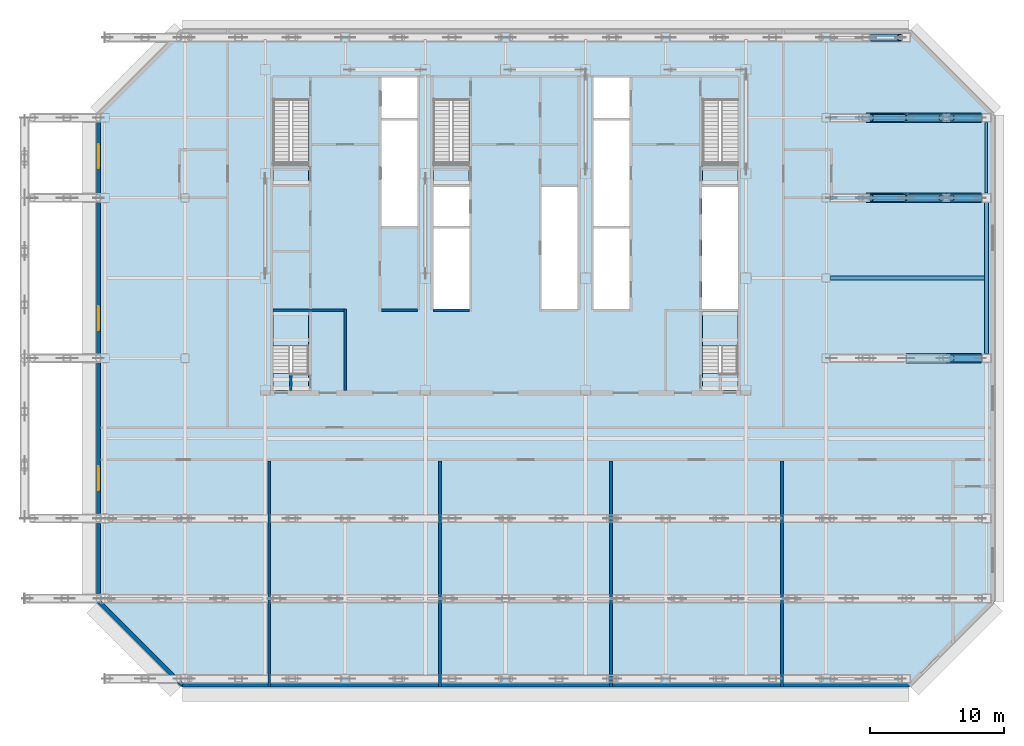
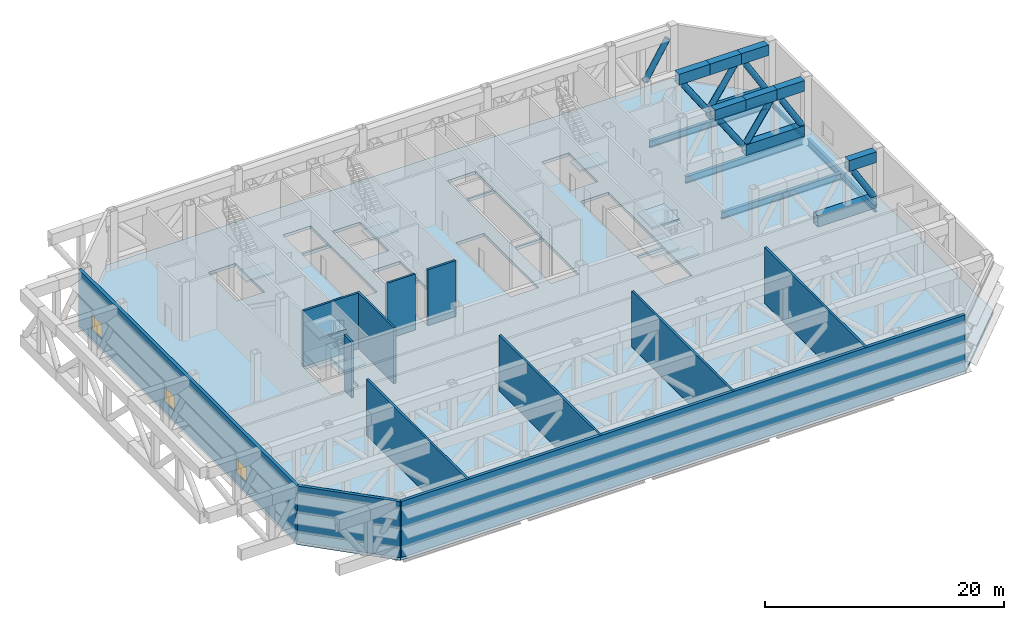
# One storey, part 5 of 17: 15 beams, 12 walls, 10 slabs, 8 members, 3 windows, 3 openings, 5 elements without a shape of their own.
"""IFC4 building model written with IfcOpenShell, lengths in metres."""

from ifc_helpers import new_model, si_unit, direction, frame, frame_2d, origin, origin_2d, place, context, subcontext, project, spatial, polyline, rectangle, hollow_rectangle, hollow_circle, i_section, outline, extrude, material, layer, layer_set, material_profile, profile_set, type_object, element, fill, aggregate, save


model = new_model("IFC4")

# Units and contexts
model_context = context("Model", 3, precision=1e-05, world=origin(), true_north=direction((0.0, 1.0)))
body_context = subcontext(model_context, "Body", "Model", "MODEL_VIEW")
ifc_project = project(units=[si_unit("LENGTHUNIT", "METRE"), si_unit("AREAUNIT", "SQUARE_METRE"), si_unit("VOLUMEUNIT", "CUBIC_METRE"), si_unit("PLANEANGLEUNIT", "RADIAN"), si_unit("MASSUNIT", "GRAM", prefix="KILO")], contexts=[model_context])

# Site, building, storey
site_placement = place(None, origin())
site = spatial("IfcSite", under=ifc_project, at=site_placement, CompositionType="ELEMENT")
building_placement = place(site_placement, origin())
building = spatial("IfcBuilding", under=site, at=building_placement, Name="Sorahane Residences", CompositionType="ELEMENT")
storey_placement = place(building_placement, frame((0.0, 0.0, 186.0)))
storey = spatial("IfcBuildingStorey", under=building, at=storey_placement, Name="L43", CompositionType="ELEMENT", Elevation=186.0)

# Beams
ifc_material_1 = material(Name="Steel Q355B", Category="steel")
ifc_material_profile_1 = material_profile(ifc_material_1, i_section(OverallWidth=0.199951171875, OverallDepth=0.449951171875, WebThickness=0.009033203125, FlangeThickness=0.013916015625, FilletRadius=0.02001953125, at=origin_2d()), Name="HN 450x200x9x14")
ifc_profile_set_1 = profile_set([ifc_material_profile_1], Name="Steel Q355B")
beam_type_1 = type_object("IfcBeamType", Name="Steel floor beam HN 450x200x9x14 Q355B", PredefinedType="BEAM", material=ifc_profile_set_1)
beam_1_placement = place(storey_placement, frame((60.0, 36.35009765625, -0.52490234375), z_axis=(0.0, 1.0, 0.0), x_axis=(-1.0, 0.0, 0.0)))
element("IfcBeam", 1, at=beam_1_placement, inside=storey, type_object=beam_type_1, Name="Beam L43 067", PredefinedType="BEAM", context=body_context, shape_type="SweptSolid", body=[
    extrude(i_section(OverallWidth=0.199951171875, OverallDepth=0.449951171875, WebThickness=0.009033203125, FlangeThickness=0.013916015625, FilletRadius=0.02001953125, at=origin_2d()), origin(), (0.0, 0.0, 1.0), 5.2998046875),
])
ifc_material_2 = material(Name="Steel Q355B", Category="steel")
ifc_material_profile_2 = material_profile(ifc_material_2, i_section(OverallWidth=0.300048828125, OverallDepth=0.699951171875, WebThickness=0.012939453125, FlangeThickness=0.02392578125, FilletRadius=0.028076171875, at=origin_2d()), Name="HN 700x300x13x24")
ifc_profile_set_2 = profile_set([ifc_material_profile_2], Name="Steel Q355B")
beam_type_2 = type_object("IfcBeamType", Name="Steel floor beam HN 700x300x13x24 Q355B", PredefinedType="BEAM", material=ifc_profile_set_2)
beam_2_placement = place(storey_placement, frame((48.324951171875, 36.0, -0.64990234375), z_axis=(1.0, 0.0, 0.0), x_axis=(0.0, 1.0, 0.0)))
element("IfcBeam", 2, at=beam_2_placement, inside=storey, type_object=beam_type_2, Name="Beam L43 014", PredefinedType="BEAM", context=body_context, shape_type="SweptSolid", body=[
    extrude(i_section(OverallWidth=0.300048828125, OverallDepth=0.699951171875, WebThickness=0.012939453125, FlangeThickness=0.02392578125, FilletRadius=0.028076171875, at=origin_2d()), origin(), (0.0, 0.0, 1.0), 11.324951171875),
])
beam_3_placement = place(storey_placement, frame((60.0, 24.35009765625, -0.64990234375), z_axis=(0.0, 1.0, 0.0), x_axis=(-1.0, 0.0, 0.0)))
element("IfcBeam", 3, at=beam_3_placement, inside=storey, type_object=beam_type_2, Name="Beam L43 066", PredefinedType="BEAM", context=body_context, shape_type="SweptSolid", body=[
    extrude(i_section(OverallWidth=0.300048828125, OverallDepth=0.699951171875, WebThickness=0.012939453125, FlangeThickness=0.02392578125, FilletRadius=0.028076171875, at=origin_2d()), origin(), (0.0, 0.0, 1.0), 11.2998046875),
])
beam_4_placement = place(storey_placement, frame((48.324951171875, 30.0, -0.64990234375), z_axis=(1.0, 0.0, 0.0), x_axis=(0.0, 1.0, 0.0)))
element("IfcBeam", 4, at=beam_4_placement, inside=storey, type_object=beam_type_2, Name="Beam L43 088", PredefinedType="BEAM", context=body_context, shape_type="SweptSolid", body=[
    extrude(i_section(OverallWidth=0.300048828125, OverallDepth=0.699951171875, WebThickness=0.012939453125, FlangeThickness=0.02392578125, FilletRadius=0.028076171875, at=origin_2d()), origin(), (0.0, 0.0, 1.0), 11.525146484375),
])
beam_5_placement = place(storey_placement, frame((48.324951171875, 42.0, -0.64990234375), z_axis=(1.0, 0.0, 0.0), x_axis=(0.0, 1.0, 0.0)))
element("IfcBeam", 5, at=beam_5_placement, inside=storey, type_object=beam_type_2, Name="Beam L43 092", PredefinedType="BEAM", context=body_context, shape_type="SweptSolid", body=[
    extrude(i_section(OverallWidth=0.300048828125, OverallDepth=0.699951171875, WebThickness=0.012939453125, FlangeThickness=0.02392578125, FilletRadius=0.028076171875, at=origin_2d()), origin(), (0.0, 0.0, 1.0), 11.324951171875),
])
ifc_material_3 = material(Name="Steel Q420GJ", Category="steel")
ifc_material_profile_3 = material_profile(ifc_material_3, hollow_rectangle(XDim=0.699951171875, YDim=1.10009765625, WallThickness=0.050048828125, at=origin_2d()), Name="BOX 1100x700x50")
ifc_profile_set_3 = profile_set([ifc_material_profile_3], Name="Steel Q420GJ")
beam_type_3 = type_object("IfcBeamType", Name="Truss chord BOX 1100x700x50 Q420GJ", PredefinedType="BEAM", material=ifc_profile_set_3)
beam_6_placement = place(storey_placement, frame((54.0, 24.0, 0.550048828125), z_axis=(1.0, 0.0, 0.0), x_axis=(0.0, 1.0, 0.0)))
element("IfcBeam", 6, at=beam_6_placement, inside=storey, type_object=beam_type_3, Name="Truss chord L43", PredefinedType="BEAM", context=body_context, shape_type="SweptSolid", body=[
    extrude(hollow_rectangle(XDim=0.699951171875, YDim=1.10009765625, WallThickness=0.050048828125, at=origin_2d()), origin(), (0.0, 0.0, 1.0), 5.64990234375),
])
beam_7_placement = place(storey_placement, frame((57.0, 24.0, 5.14990234375), z_axis=(1.0, 0.0, 0.0), x_axis=(0.0, 1.0, 0.0)))
element("IfcBeam", 7, at=beam_7_placement, inside=storey, type_object=beam_type_3, Name="Truss chord L43", PredefinedType="BEAM", context=body_context, shape_type="SweptSolid", body=[
    extrude(hollow_rectangle(XDim=0.699951171875, YDim=1.10009765625, WallThickness=0.050048828125, at=origin_2d()), origin(), (0.0, 0.0, 1.0), 2.64990234375),
])
beam_8_placement = place(storey_placement, frame((54.0, 36.0, 0.550048828125), z_axis=(1.0, 0.0, 0.0), x_axis=(0.0, 1.0, 0.0)))
element("IfcBeam", 8, at=beam_8_placement, inside=storey, type_object=beam_type_3, Name="Truss chord L43", PredefinedType="BEAM", context=body_context, shape_type="SweptSolid", body=[
    extrude(hollow_rectangle(XDim=0.699951171875, YDim=1.10009765625, WallThickness=0.050048828125, at=origin_2d()), origin(), (0.0, 0.0, 1.0), 5.64990234375),
])
for number, where, z_axis, x_axis, name in (
    (9, (51.0, 36.0, 5.14990234375), (1.0, 0.0, 0.0), (0.0, 1.0, 0.0), "Truss chord L43"),
    (10, (54.0, 36.0, 5.14990234375), (1.0, 0.0, 0.0), (0.0, 1.0, 0.0), "Truss chord L43"),
):
    element("IfcBeam", number, at=place(storey_placement, frame(where, z_axis=z_axis, x_axis=x_axis)), inside=storey, type_object=beam_type_3, Name=name, PredefinedType="BEAM", context=body_context, shape_type="SweptSolid", body=[
        extrude(hollow_rectangle(XDim=0.699951171875, YDim=1.10009765625, WallThickness=0.050048828125, at=origin_2d()), origin(), (0.0, 0.0, 1.0), 3.0),
    ])
beam_9_placement = place(storey_placement, frame((57.0, 36.0, 5.14990234375), z_axis=(1.0, 0.0, 0.0), x_axis=(0.0, 1.0, 0.0)))
element("IfcBeam", 11, at=beam_9_placement, inside=storey, type_object=beam_type_3, Name="Truss chord L43", PredefinedType="BEAM", context=body_context, shape_type="SweptSolid", body=[
    extrude(hollow_rectangle(XDim=0.699951171875, YDim=1.10009765625, WallThickness=0.050048828125, at=origin_2d()), origin(), (0.0, 0.0, 1.0), 2.64990234375),
])
beam_10_placement = place(storey_placement, frame((54.0, 42.0, 0.550048828125), z_axis=(1.0, 0.0, 0.0), x_axis=(0.0, 1.0, 0.0)))
element("IfcBeam", 12, at=beam_10_placement, inside=storey, type_object=beam_type_3, Name="Truss chord L43", PredefinedType="BEAM", context=body_context, shape_type="SweptSolid", body=[
    extrude(hollow_rectangle(XDim=0.699951171875, YDim=1.10009765625, WallThickness=0.050048828125, at=origin_2d()), origin(), (0.0, 0.0, 1.0), 5.64990234375),
])
for number, where, z_axis, x_axis, name in (
    (13, (51.0, 42.0, 5.14990234375), (1.0, 0.0, 0.0), (0.0, 1.0, 0.0), "Truss chord L43"),
    (14, (54.0, 42.0, 5.14990234375), (1.0, 0.0, 0.0), (0.0, 1.0, 0.0), "Truss chord L43"),
):
    element("IfcBeam", number, at=place(storey_placement, frame(where, z_axis=z_axis, x_axis=x_axis)), inside=storey, type_object=beam_type_3, Name=name, PredefinedType="BEAM", context=body_context, shape_type="SweptSolid", body=[
        extrude(hollow_rectangle(XDim=0.699951171875, YDim=1.10009765625, WallThickness=0.050048828125, at=origin_2d()), origin(), (0.0, 0.0, 1.0), 3.0),
    ])
beam_11_placement = place(storey_placement, frame((57.0, 42.0, 5.14990234375), z_axis=(1.0, 0.0, 0.0), x_axis=(0.0, 1.0, 0.0)))
element("IfcBeam", 15, at=beam_11_placement, inside=storey, type_object=beam_type_3, Name="Truss chord L43", PredefinedType="BEAM", context=body_context, shape_type="SweptSolid", body=[
    extrude(hollow_rectangle(XDim=0.699951171875, YDim=1.10009765625, WallThickness=0.050048828125, at=origin_2d()), origin(), (0.0, 0.0, 1.0), 2.64990234375),
])

# Members
ifc_material_4 = material(Name="Steel Q420GJ", Category="steel")
ifc_material_profile_4 = material_profile(ifc_material_4, hollow_circle(Radius=0.27490234375, WallThickness=0.028076171875, at=origin_2d()), Name="CHS 550x28")
ifc_profile_set_4 = profile_set([ifc_material_profile_4], Name="Steel Q420GJ")
member_type = type_object("IfcMemberType", Name="Truss diagonal CHS 550x28 Q420GJ", PredefinedType="BRACE", material=ifc_profile_set_4)
member_1_placement = place(storey_placement, frame((57.36328125, 24.0, 4.67724609375), z_axis=(0.515488774594, 0.0, -0.856896331692), x_axis=(0.0, 1.0, 0.0)))
element("IfcMember", 16, at=member_1_placement, inside=storey, type_object=member_type, Name="Truss diagonal L43", PredefinedType="BRACE", context=body_context, shape_type="SweptSolid", body=[
    extrude(hollow_circle(Radius=0.27490234375, WallThickness=0.028076171875, at=origin_2d()), origin(), (0.0, 0.0, 1.0), 4.264892578125),
])
for number, where, z_axis, x_axis, name in (
    (17, (51.332275390625, 36.0, 4.681396484375), (0.55760796969, 0.0, -0.83010442243), (0.0, 1.0, 0.0), "Truss diagonal L43"),
    (18, (54.207275390625, 36.0, 1.0185546875), (0.55760796969, 0.0, 0.83010442243), (0.0, 1.0, 0.0), "Truss diagonal L43"),
):
    element("IfcMember", number, at=place(storey_placement, frame(where, z_axis=z_axis, x_axis=x_axis)), inside=storey, type_object=member_type, Name=name, PredefinedType="BRACE", context=body_context, shape_type="SweptSolid", body=[
        extrude(hollow_circle(Radius=0.27490234375, WallThickness=0.028076171875, at=origin_2d()), origin(), (0.0, 0.0, 1.0), 4.41259765625),
    ])
member_2_placement = place(storey_placement, frame((57.36328125, 36.0, 4.67724609375), z_axis=(0.515488774594, 0.0, -0.856896331692), x_axis=(0.0, 1.0, 0.0)))
element("IfcMember", 19, at=member_2_placement, inside=storey, type_object=member_type, Name="Truss diagonal L43", PredefinedType="BRACE", context=body_context, shape_type="SweptSolid", body=[
    extrude(hollow_circle(Radius=0.27490234375, WallThickness=0.028076171875, at=origin_2d()), origin(), (0.0, 0.0, 1.0), 4.264892578125),
])
for number, where, z_axis, x_axis, name in (
    (20, (51.332275390625, 42.0, 4.681396484375), (0.55760796969, 0.0, -0.83010442243), (0.0, 1.0, 0.0), "Truss diagonal L43"),
    (21, (54.207275390625, 42.0, 1.0185546875), (0.55760796969, 0.0, 0.83010442243), (0.0, 1.0, 0.0), "Truss diagonal L43"),
):
    element("IfcMember", number, at=place(storey_placement, frame(where, z_axis=z_axis, x_axis=x_axis)), inside=storey, type_object=member_type, Name=name, PredefinedType="BRACE", context=body_context, shape_type="SweptSolid", body=[
        extrude(hollow_circle(Radius=0.27490234375, WallThickness=0.028076171875, at=origin_2d()), origin(), (0.0, 0.0, 1.0), 4.41259765625),
    ])
for number, where, z_axis, x_axis, name in (
    (22, (57.36328125, 42.0, 4.67724609375), (0.515488774594, 0.0, -0.856896331692), (0.0, 1.0, 0.0), "Truss diagonal L43"),
    (23, (51.36328125, 48.0, 1.022705078125), (0.515488774594, 0.0, 0.856896331692), (0.0, 1.0, 0.0), "Truss diagonal L43"),
):
    element("IfcMember", number, at=place(storey_placement, frame(where, z_axis=z_axis, x_axis=x_axis)), inside=storey, type_object=member_type, Name=name, PredefinedType="BRACE", context=body_context, shape_type="SweptSolid", body=[
        extrude(hollow_circle(Radius=0.27490234375, WallThickness=0.028076171875, at=origin_2d()), origin(), (0.0, 0.0, 1.0), 4.264892578125),
    ])

# Slab
ifc_material_5 = material(Name="Concrete C35", Category="concrete")
ifc_layer_1 = layer(ifc_material_5, 0.300048828125)
ifc_layer_set_1 = layer_set([ifc_layer_1], Name="Composite floor slab 300 mm Concrete C35")
slab_type_1 = type_object("IfcSlabType", Name="Composite floor slab 300 mm Concrete C35", PredefinedType="FLOOR", material=ifc_layer_set_1)
slab_1_placement = place(storey_placement, frame((0.0, 0.0, -0.300048828125)))
element("IfcSlab", 24, at=slab_1_placement, inside=storey, type_object=slab_type_1, Name="Slab L43", PredefinedType="FLOOR", context=body_context, shape_type="SweptSolid", body=[
    extrude(outline(polyline([(-0.24853515625, -0.60009765625), (-6.60009765625, 5.75146484375), (-6.60009765625, 42.24853515625), (-0.24853515625, 48.60009765625), (54.24853515625, 48.60009765625), (60.60009765625, 42.24853515625), (60.60009765625, 5.75146484375), (54.24853515625, -0.60009765625), (-0.24853515625, -0.60009765625)]), holes=[polyline([(18.60009765625, 27.699951171875), (21.300048828125, 27.699951171875), (21.300048828125, 33.699951171875), (18.60009765625, 33.699951171875), (18.60009765625, 27.699951171875)]), polyline([(38.699951171875, 27.699951171875), (41.39990234375, 27.699951171875), (41.39990234375, 36.800048828125), (38.699951171875, 36.800048828125), (38.699951171875, 27.699951171875)]), polyline([(30.60009765625, 27.699951171875), (33.300048828125, 27.699951171875), (33.300048828125, 33.699951171875), (30.60009765625, 33.699951171875), (30.60009765625, 27.699951171875)]), polyline([(30.60009765625, 42.0), (33.300048828125, 42.0), (33.300048828125, 45.0), (30.60009765625, 45.0), (30.60009765625, 42.0)]), polyline([(14.699951171875, 42.0), (17.39990234375, 42.0), (17.39990234375, 45.0), (14.699951171875, 45.0), (14.699951171875, 42.0)]), polyline([(9.25, 38.60009765625), (6.60009765625, 38.60009765625), (6.60009765625, 43.39990234375), (9.25, 43.39990234375), (9.25, 38.60009765625)]), polyline([(41.39990234375, 38.60009765625), (38.75, 38.60009765625), (38.75, 43.39990234375), (41.39990234375, 43.39990234375), (41.39990234375, 38.60009765625)]), polyline([(21.25, 38.60009765625), (18.60009765625, 38.60009765625), (18.60009765625, 43.39990234375), (21.25, 43.39990234375), (21.25, 38.60009765625)]), polyline([(6.60009765625, 27.5), (9.25, 27.5), (9.25, 22.85009765625), (6.60009765625, 22.85009765625), (6.60009765625, 27.5)]), polyline([(38.75, 27.5), (41.39990234375, 27.5), (41.39990234375, 22.85009765625), (38.75, 22.85009765625), (38.75, 27.5)]), polyline([(14.699951171875, 33.89990234375), (17.39990234375, 33.89990234375), (17.39990234375, 41.800048828125), (14.699951171875, 41.800048828125), (14.699951171875, 33.89990234375)]), polyline([(30.60009765625, 33.89990234375), (33.300048828125, 33.89990234375), (33.300048828125, 41.800048828125), (30.60009765625, 41.800048828125), (30.60009765625, 33.89990234375)]), polyline([(18.60009765625, 33.89990234375), (21.300048828125, 33.89990234375), (21.300048828125, 36.800048828125), (18.60009765625, 36.800048828125), (18.60009765625, 33.89990234375)]), polyline([(26.699951171875, 27.699951171875), (29.39990234375, 27.699951171875), (29.39990234375, 36.800048828125), (26.699951171875, 36.800048828125), (26.699951171875, 27.699951171875)])]), origin(), (0.0, 0.0, 1.0), 0.300048828125),
])

# Stair, slab
ifc_material_6 = material(Name="Concrete C40", Category="concrete")
stair_type = type_object("IfcStairType", Name="Dog-leg stair 1250 Concrete C40", PredefinedType="HALF_TURN_STAIR", material=ifc_material_6)
stair_1_placement = place(storey_placement, origin())
stair_1 = element("IfcStair", 25, at=stair_1_placement, inside=storey, type_object=stair_type, Name="L43 Stair S1", PredefinedType="HALF_TURN_STAIR")
ifc_material_7 = material(Name="Concrete C40", Category="concrete")
ifc_layer_2 = layer(ifc_material_7, 0.199951171875)
ifc_layer_set_2 = layer_set([ifc_layer_2], Name="Stair landing 200 Concrete C40")
slab_type_2 = type_object("IfcSlabType", Name="Stair landing 200 Concrete C40", PredefinedType="LANDING", material=ifc_layer_set_2)
slab_2_placement = place(storey_placement, frame((0.0, 0.0, 2.800048828125)))
slab_2 = element("IfcSlab", 26, at=slab_2_placement, type_object=slab_type_2, Name="S1 landing 1", PredefinedType="LANDING", context=body_context, shape_type="SweptSolid", body=[
    extrude(outline(polyline([(6.60009765625, 38.639892578125), (6.60009765625, 37.0), (9.25, 37.0), (9.25, 38.639892578125), (6.60009765625, 38.639892578125)])), origin(), (0.0, 0.0, 1.0), 0.199951171875),
])
aggregate(stair_1, [slab_2])

stair_2_placement = place(storey_placement, origin())
stair_2 = element("IfcStair", 27, at=stair_2_placement, inside=storey, type_object=stair_type, Name="L43 Stair S2", PredefinedType="HALF_TURN_STAIR")
slab_3_placement = place(storey_placement, frame((0.0, 0.0, 2.800048828125)))
slab_3 = element("IfcSlab", 28, at=slab_3_placement, type_object=slab_type_2, Name="S2 landing 1", PredefinedType="LANDING", context=body_context, shape_type="SweptSolid", body=[
    extrude(outline(polyline([(38.75, 38.639892578125), (38.75, 37.0), (41.39990234375, 37.0), (41.39990234375, 38.639892578125), (38.75, 38.639892578125)])), origin(), (0.0, 0.0, 1.0), 0.199951171875),
])
aggregate(stair_2, [slab_3])

stair_3_placement = place(storey_placement, origin())
stair_3 = element("IfcStair", 29, at=stair_3_placement, inside=storey, type_object=stair_type, Name="L43 Stair S3", PredefinedType="HALF_TURN_STAIR")
slab_4_placement = place(storey_placement, frame((0.0, 0.0, 2.800048828125)))
slab_4 = element("IfcSlab", 30, at=slab_4_placement, type_object=slab_type_2, Name="S3 landing 1", PredefinedType="LANDING", context=body_context, shape_type="SweptSolid", body=[
    extrude(outline(polyline([(18.60009765625, 38.639892578125), (18.60009765625, 37.0), (21.25, 37.0), (21.25, 38.639892578125), (18.60009765625, 38.639892578125)])), origin(), (0.0, 0.0, 1.0), 0.199951171875),
])
aggregate(stair_3, [slab_4])

# Stair, slabs
stair_4_placement = place(storey_placement, origin())
stair_4 = element("IfcStair", 31, at=stair_4_placement, inside=storey, type_object=stair_type, Name="L43 Stair S4", PredefinedType="HALF_TURN_STAIR")
slab_5_placement = place(storey_placement, frame((0.0, 0.0, 1.300048828125)))
slab_5 = element("IfcSlab", 32, at=slab_5_placement, type_object=slab_type_2, Name="S4 landing 1", PredefinedType="LANDING", context=body_context, shape_type="SweptSolid", body=[
    extrude(outline(polyline([(9.25, 24.929931640625), (9.25, 27.5), (6.60009765625, 27.5), (6.60009765625, 24.929931640625), (9.25, 24.929931640625)])), origin(), (0.0, 0.0, 1.0), 0.199951171875),
])
slab_6_placement = place(storey_placement, frame((0.0, 0.0, 2.800048828125)))
slab_6 = element("IfcSlab", 33, at=slab_6_placement, type_object=slab_type_2, Name="S4 landing 2", PredefinedType="LANDING", context=body_context, shape_type="SweptSolid", body=[
    extrude(outline(polyline([(9.25, 21.60009765625), (9.25, 22.85009765625), (6.60009765625, 22.85009765625), (6.60009765625, 21.60009765625), (9.25, 21.60009765625)])), origin(), (0.0, 0.0, 1.0), 0.199951171875),
])
slab_7_placement = place(storey_placement, frame((0.0, 0.0, 4.300048828125)))
slab_7 = element("IfcSlab", 34, at=slab_7_placement, type_object=slab_type_2, Name="S4 landing 3", PredefinedType="LANDING", context=body_context, shape_type="SweptSolid", body=[
    extrude(outline(polyline([(9.25, 24.929931640625), (9.25, 27.5), (6.60009765625, 27.5), (6.60009765625, 24.929931640625), (9.25, 24.929931640625)])), origin(), (0.0, 0.0, 1.0), 0.199951171875),
])
aggregate(stair_4, [slab_5, slab_6, slab_7])

stair_5_placement = place(storey_placement, origin())
stair_5 = element("IfcStair", 35, at=stair_5_placement, inside=storey, type_object=stair_type, Name="L43 Stair S5", PredefinedType="HALF_TURN_STAIR")
slab_8_placement = place(storey_placement, frame((0.0, 0.0, 1.300048828125)))
slab_8 = element("IfcSlab", 36, at=slab_8_placement, type_object=slab_type_2, Name="S5 landing 1", PredefinedType="LANDING", context=body_context, shape_type="SweptSolid", body=[
    extrude(outline(polyline([(41.39990234375, 24.929931640625), (41.39990234375, 27.5), (38.75, 27.5), (38.75, 24.929931640625), (41.39990234375, 24.929931640625)])), origin(), (0.0, 0.0, 1.0), 0.199951171875),
])
slab_9_placement = place(storey_placement, frame((0.0, 0.0, 2.800048828125)))
slab_9 = element("IfcSlab", 37, at=slab_9_placement, type_object=slab_type_2, Name="S5 landing 2", PredefinedType="LANDING", context=body_context, shape_type="SweptSolid", body=[
    extrude(outline(polyline([(41.39990234375, 21.60009765625), (41.39990234375, 22.85009765625), (38.75, 22.85009765625), (38.75, 21.60009765625), (41.39990234375, 21.60009765625)])), origin(), (0.0, 0.0, 1.0), 0.199951171875),
])
slab_10_placement = place(storey_placement, frame((0.0, 0.0, 4.300048828125)))
slab_10 = element("IfcSlab", 38, at=slab_10_placement, type_object=slab_type_2, Name="S5 landing 3", PredefinedType="LANDING", context=body_context, shape_type="SweptSolid", body=[
    extrude(outline(polyline([(41.39990234375, 24.929931640625), (41.39990234375, 27.5), (38.75, 27.5), (38.75, 24.929931640625), (41.39990234375, 24.929931640625)])), origin(), (0.0, 0.0, 1.0), 0.199951171875),
])
aggregate(stair_5, [slab_8, slab_9, slab_10])

# Wall
ifc_material_8 = material(Name="Graphite insulated metal-clad wall")
ifc_layer_3 = layer(ifc_material_8, 0.300048828125)
ifc_layer_set_3 = layer_set([ifc_layer_3], Name="External wall insulated metal-clad 300")
wall_type_1 = type_object("IfcWallType", Name="External wall insulated metal-clad 300", PredefinedType="SOLIDWALL", material=ifc_layer_set_3)
wall_1_placement = place(storey_placement, frame((-0.194580078125, -0.469970703125, 0.0), z_axis=(0.0, 0.0, 1.0), x_axis=(1.0, 0.0, 0.0)))
element("IfcWall", 39, at=wall_1_placement, inside=storey, type_object=wall_type_1, Name="External plant wall L43 S1", PredefinedType="SOLIDWALL", context=body_context, shape_type="SweptSolid", body=[
    extrude(rectangle(XDim=54.38916015625, YDim=0.300048828125, at=frame_2d((27.194580078125, 0.0))), origin(), (0.0, 0.0, 1.0), 5.699951171875),
])

# Wall, openings, windows
wall_2_placement = place(storey_placement, frame((-6.469970703125, 42.194580078125, 0.0), z_axis=(0.0, 0.0, 1.0), x_axis=(0.0, -1.0, 0.0)))
wall_2 = element("IfcWall", 40, at=wall_2_placement, inside=storey, type_object=wall_type_1, Name="External plant wall L43 W1", PredefinedType="SOLIDWALL", context=body_context, shape_type="SweptSolid", body=[
    extrude(rectangle(XDim=36.38916015625, YDim=0.300048828125, at=frame_2d((18.194580078125, 0.0))), origin(), (0.0, 0.0, 1.0), 5.699951171875),
])
opening_1_placement = place(wall_2_placement, frame((2.17041015625, 0.0, 0.89990234375)))
opening_1 = element("IfcOpeningElement", 41, at=opening_1_placement, cuts=wall_2, Name="Opening W-R1", PredefinedType="OPENING", context=body_context, shape_type="SweptSolid", body=[
    extrude(rectangle(XDim=1.800048828125, YDim=1.5, at=frame_2d((0.89990234375, 0.75))), frame((0.0, 0.159912109375, 0.0), z_axis=(0.0, -1.0, 0.0), x_axis=(1.0, 0.0, 0.0)), (0.0, 0.0, 1.0), 0.320068359375),
])
opening_2_placement = place(wall_2_placement, frame((14.294677734375, 0.0, 0.89990234375)))
opening_2 = element("IfcOpeningElement", 42, at=opening_2_placement, cuts=wall_2, Name="Opening W-R1", PredefinedType="OPENING", context=body_context, shape_type="SweptSolid", body=[
    extrude(rectangle(XDim=1.800048828125, YDim=1.5, at=frame_2d((0.89990234375, 0.75))), frame((0.0, 0.159912109375, 0.0), z_axis=(0.0, -1.0, 0.0), x_axis=(1.0, 0.0, 0.0)), (0.0, 0.0, 1.0), 0.320068359375),
])
opening_3_placement = place(wall_2_placement, frame((26.294677734375, 0.0, 0.89990234375)))
opening_3 = element("IfcOpeningElement", 43, at=opening_3_placement, cuts=wall_2, Name="Opening W-R1", PredefinedType="OPENING", context=body_context, shape_type="SweptSolid", body=[
    extrude(rectangle(XDim=1.800048828125, YDim=1.5, at=frame_2d((0.89990234375, 0.75))), frame((0.0, 0.159912109375, 0.0), z_axis=(0.0, -1.0, 0.0), x_axis=(1.0, 0.0, 0.0)), (0.0, 0.0, 1.0), 0.320068359375),
])
ifc_material_9 = material(Name="Dark aluminium and glass", Category="aluminium")
window_type = type_object("IfcWindowType", Name="Openable Class B fire window dark aluminium 1800x1500", PartitioningType="SINGLE_PANEL", PredefinedType="WINDOW", material=ifc_material_9)
window_1_placement = place(opening_1_placement, origin())
window_1 = element("IfcWindow", 44, at=window_1_placement, inside=storey, type_object=window_type, Name="Openable fire window L43 W1.1", OverallHeight=1.5, OverallWidth=1.800048828125, PartitioningType="SINGLE_PANEL", PredefinedType="WINDOW", context=body_context, shape_type="SweptSolid", body=[
    extrude(rectangle(XDim=1.800048828125, YDim=1.5, at=frame_2d((0.89990234375, 0.75))), frame((0.0, 0.030029296875, 0.0), z_axis=(0.0, -1.0, 0.0), x_axis=(1.0, 0.0, 0.0)), (0.0, 0.0, 1.0), 0.06005859375),
])
fill(opening_1, window_1)
window_2_placement = place(opening_2_placement, origin())
window_2 = element("IfcWindow", 45, at=window_2_placement, inside=storey, type_object=window_type, Name="Openable fire window L43 W1.3", OverallHeight=1.5, OverallWidth=1.800048828125, PartitioningType="SINGLE_PANEL", PredefinedType="WINDOW", context=body_context, shape_type="SweptSolid", body=[
    extrude(rectangle(XDim=1.800048828125, YDim=1.5, at=frame_2d((0.89990234375, 0.75))), frame((0.0, 0.030029296875, 0.0), z_axis=(0.0, -1.0, 0.0), x_axis=(1.0, 0.0, 0.0)), (0.0, 0.0, 1.0), 0.06005859375),
])
fill(opening_2, window_2)
window_3_placement = place(opening_3_placement, origin())
window_3 = element("IfcWindow", 46, at=window_3_placement, inside=storey, type_object=window_type, Name="Openable fire window L43 W1.5", OverallHeight=1.5, OverallWidth=1.800048828125, PartitioningType="SINGLE_PANEL", PredefinedType="WINDOW", context=body_context, shape_type="SweptSolid", body=[
    extrude(rectangle(XDim=1.800048828125, YDim=1.5, at=frame_2d((0.89990234375, 0.75))), frame((0.0, 0.030029296875, 0.0), z_axis=(0.0, -1.0, 0.0), x_axis=(1.0, 0.0, 0.0)), (0.0, 0.0, 1.0), 0.06005859375),
])
fill(opening_3, window_3)

# Walls
wall_3_placement = place(storey_placement, frame((-6.469970703125, 5.805419921875, 0.0), z_axis=(0.0, 0.0, 1.0), x_axis=(0.707106781187, -0.707106781187, 0.0)))
element("IfcWall", 47, at=wall_3_placement, inside=storey, type_object=wall_type_1, Name="External plant wall L43 SW1", PredefinedType="SOLIDWALL", context=body_context, shape_type="SweptSolid", body=[
    extrude(rectangle(XDim=8.874755859375, YDim=0.300048828125, at=frame_2d((4.4375, 0.0))), origin(), (0.0, 0.0, 1.0), 5.699951171875),
])
ifc_material_10 = material(Name="Concrete blockwork C20 wall", Category="masonry")
ifc_layer_4 = layer(ifc_material_10, 0.199951171875)
ifc_layer_set_4 = layer_set([ifc_layer_4], Name="Fire wall 200 EI 120")
wall_type_2 = type_object("IfcWallType", Name="Fire wall 200 EI 120", PredefinedType="SOLIDWALL", material=ifc_layer_set_4)
wall_4_placement = place(storey_placement, frame((6.300048828125, -0.60009765625, 0.0), z_axis=(0.0, 0.0, 1.0), x_axis=(0.0, 1.0, 0.0)))
element("IfcWall", 48, at=wall_4_placement, inside=storey, type_object=wall_type_2, Name="L43 fire wall", PredefinedType="SOLIDWALL", context=body_context, shape_type="SweptSolid", body=[
    extrude(rectangle(XDim=16.900146484375, YDim=0.199951171875, at=frame_2d((8.4501953125, 0.0))), origin(), (0.0, 0.0, 1.0), 5.699951171875),
])
ifc_material_11 = material(Name="Concrete C30", Category="concrete")
ifc_layer_5 = layer(ifc_material_11, 0.199951171875)
ifc_layer_set_5 = layer_set([ifc_layer_5], Name="Front room wall 200 EI 120")
wall_type_3 = type_object("IfcWallType", Name="Front room wall 200 EI 120", PredefinedType="PARTITIONING", material=ifc_layer_set_5)
wall_5_placement = place(storey_placement, frame((12.0, 21.60009765625, 0.0), z_axis=(0.0, 0.0, 1.0), x_axis=(0.0, 1.0, 0.0)))
element("IfcWall", 49, at=wall_5_placement, inside=storey, type_object=wall_type_3, Name="L43 front room wall", PredefinedType="PARTITIONING", context=body_context, shape_type="SweptSolid", body=[
    extrude(rectangle(XDim=6.099853515625, YDim=0.199951171875, at=frame_2d((3.0498046875, 0.0))), origin(), (0.0, 0.0, 1.0), 5.699951171875),
])
ifc_material_12 = material(Name="Concrete C30", Category="concrete")
ifc_layer_6 = layer(ifc_material_12, 0.199951171875)
ifc_layer_set_6 = layer_set([ifc_layer_6], Name="Lift shaft wall 200 EI 120")
wall_type_4 = type_object("IfcWallType", Name="Lift shaft wall 200 EI 120", PredefinedType="SOLIDWALL", material=ifc_layer_set_6)
wall_6_placement = place(storey_placement, frame((18.60009765625, 27.60009765625, 0.0), z_axis=(0.0, 0.0, 1.0), x_axis=(1.0, 0.0, 0.0)))
element("IfcWall", 50, at=wall_6_placement, inside=storey, type_object=wall_type_4, Name="L43 lift shaft wall", PredefinedType="SOLIDWALL", context=body_context, shape_type="SweptSolid", body=[
    extrude(rectangle(XDim=2.699951171875, YDim=0.199951171875, at=frame_2d((1.35009765625, 0.0))), origin(), (0.0, 0.0, 1.0), 5.699951171875),
])
ifc_material_13 = material(Name="Concrete blockwork C20 wall", Category="masonry")
ifc_layer_7 = layer(ifc_material_13, 0.199951171875)
ifc_layer_set_7 = layer_set([ifc_layer_7], Name="Plant wall 200 EI 120")
wall_type_5 = type_object("IfcWallType", Name="Plant wall 200 EI 120", PredefinedType="SOLIDWALL", material=ifc_layer_set_7)
for number, where, z_axis, x_axis, name in (
    (51, (19.10009765625, -0.60009765625, 0.0), (0.0, 0.0, 1.0), (0.0, 1.0, 0.0), "L43 plant wall"),
    (52, (31.89990234375, -0.60009765625, 0.0), (0.0, 0.0, 1.0), (0.0, 1.0, 0.0), "L43 plant wall"),
    (53, (44.699951171875, -0.60009765625, 0.0), (0.0, 0.0, 1.0), (0.0, 1.0, 0.0), "L43 plant wall"),
):
    element("IfcWall", number, at=place(storey_placement, frame(where, z_axis=z_axis, x_axis=x_axis)), inside=storey, type_object=wall_type_5, Name=name, PredefinedType="SOLIDWALL", context=body_context, shape_type="SweptSolid", body=[
        extrude(rectangle(XDim=16.900146484375, YDim=0.199951171875, at=frame_2d((8.4501953125, 0.0))), origin(), (0.0, 0.0, 1.0), 5.699951171875),
    ])
ifc_material_14 = material(Name="Concrete C30", Category="concrete")
ifc_layer_8 = layer(ifc_material_14, 0.199951171875)
ifc_layer_set_8 = layer_set([ifc_layer_8], Name="Service room partition 200 EI 60")
wall_type_6 = type_object("IfcWallType", Name="Service room partition 200 EI 60", PredefinedType="PARTITIONING", material=ifc_layer_set_8)
wall_7_placement = place(storey_placement, frame((14.699951171875, 27.60009765625, 0.0), z_axis=(0.0, 0.0, 1.0), x_axis=(1.0, 0.0, 0.0)))
element("IfcWall", 54, at=wall_7_placement, inside=storey, type_object=wall_type_6, Name="L43 service room wall", PredefinedType="PARTITIONING", context=body_context, shape_type="SweptSolid", body=[
    extrude(rectangle(XDim=2.699951171875, YDim=0.199951171875, at=frame_2d((1.35009765625, 0.0))), origin(), (0.0, 0.0, 1.0), 5.699951171875),
])
ifc_material_15 = material(Name="Concrete C30", Category="concrete")
ifc_layer_9 = layer(ifc_material_15, 0.199951171875)
ifc_layer_set_9 = layer_set([ifc_layer_9], Name="Stair enclosure wall 200 EI 120")
wall_type_7 = type_object("IfcWallType", Name="Stair enclosure wall 200 EI 120", PredefinedType="SOLIDWALL", material=ifc_layer_set_9)
wall_8_placement = place(storey_placement, frame((7.925048828125, 21.60009765625, 0.0), z_axis=(0.0, 0.0, 1.0), x_axis=(0.0, 1.0, 0.0)))
element("IfcWall", 55, at=wall_8_placement, inside=storey, type_object=wall_type_7, Name="L43 stair enclosure wall", PredefinedType="SOLIDWALL", context=body_context, shape_type="SweptSolid", body=[
    extrude(rectangle(XDim=1.25, YDim=0.199951171875, at=frame_2d((0.625, 0.0))), origin(), (0.0, 0.0, 1.0), 5.699951171875),
])
wall_9_placement = place(storey_placement, frame((6.60009765625, 27.60009765625, 0.0), z_axis=(0.0, 0.0, 1.0), x_axis=(1.0, 0.0, 0.0)))
element("IfcWall", 56, at=wall_9_placement, inside=storey, type_object=wall_type_7, Name="L43 stair enclosure wall", PredefinedType="SOLIDWALL", context=body_context, shape_type="SweptSolid", body=[
    extrude(rectangle(XDim=5.2998046875, YDim=0.199951171875, at=frame_2d((2.64990234375, 0.0))), origin(), (0.0, 0.0, 1.0), 5.699951171875),
])

save(model, "model.ifc")
